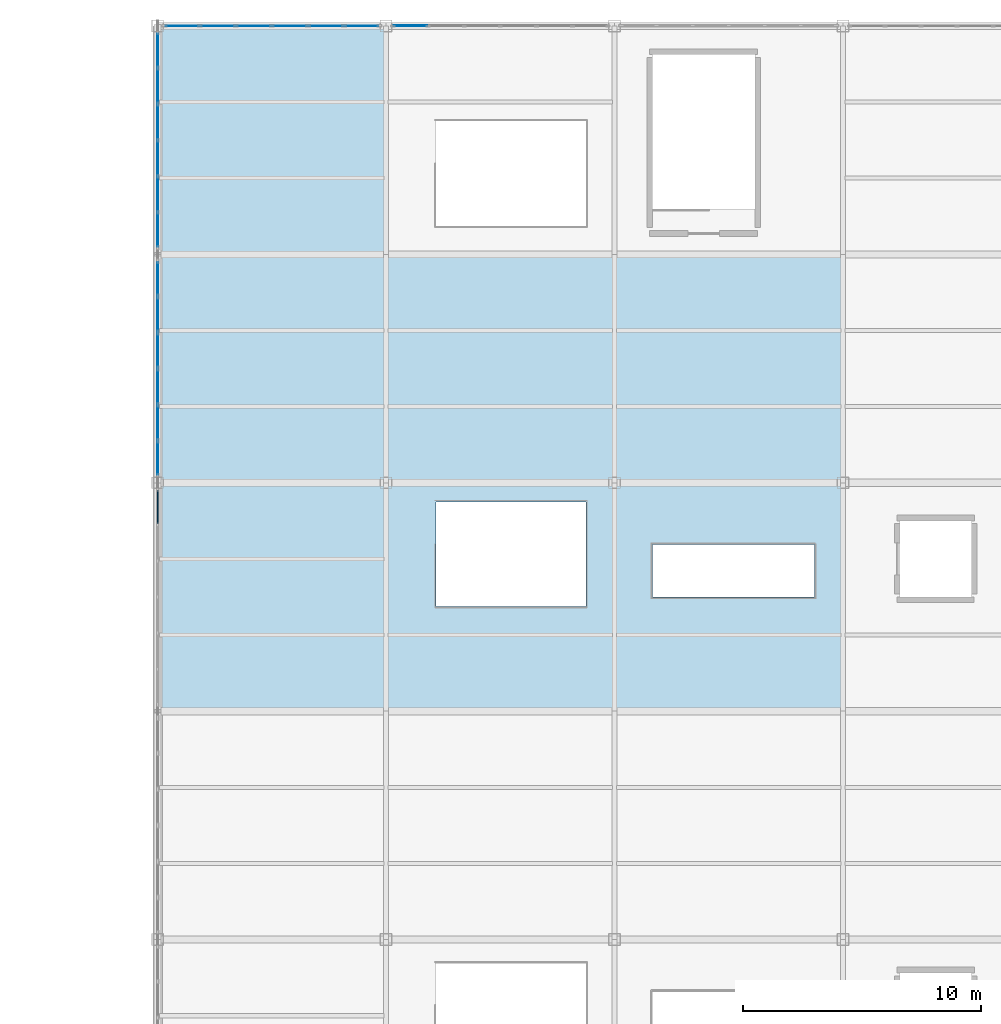
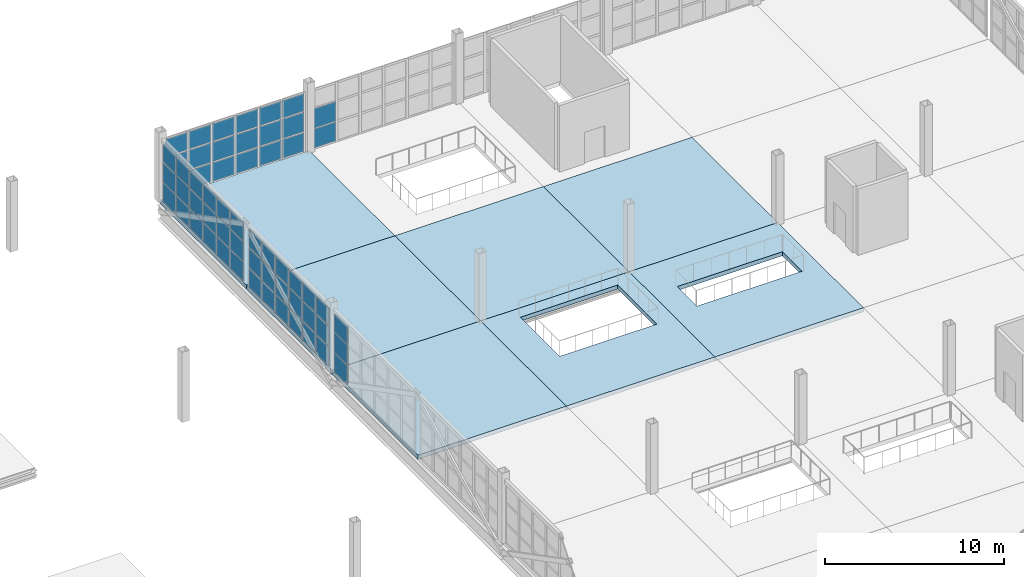
# One storey, part 86 of 120: 59 plates, 7 slabs, 5 elements without a shape of their own.
"""IFC4 building model written with IfcOpenShell, lengths in metres."""

import ifcopenshell
import ifcopenshell.guid

model = None  # the IFC model being written
_history = None  # IfcOwnerHistory: only IFC2X3 demands one
_inside = {}  # id of a spatial element -> (the spatial element, [elements in it])
_under = {}  # id of a project, library or spatial element -> (it, [spatial elements below it])
_declared = {}  # id of a project -> (the project, [libraries it declares])
_typed = {}  # id of a type object -> (the type object, [elements of that type])
_made_of = {}  # id of a material, layer set ... -> (it, [elements and type objects made of it])


def new_model(schema):
    """Start an empty IFC model of exactly this schema.

    Asked for "IFC4X3", IfcOpenShell would pick the latest addendum, in which some entities
    have other attributes; the version numbers below select the first issue.
    IFC2X3 requires an IfcOwnerHistory on every rooted entity: one is made here for all.
    """
    global model, _history
    if schema == "IFC4X3":
        model = ifcopenshell.file(schema_version=(4, 3, 0, 0))
    else:
        model = ifcopenshell.file(schema=schema)
    _inside.clear()
    _under.clear()
    _declared.clear()
    _typed.clear()
    _made_of.clear()
    _history = None
    if model.schema == "IFC2X3":
        org = make("IfcOrganization", Name="unknown")
        user = make(
            "IfcPersonAndOrganization",
            ThePerson=make("IfcPerson", FamilyName="unknown"),
            TheOrganization=org,
        )
        app = make(
            "IfcApplication",
            ApplicationDeveloper=org,
            Version="unknown",
            ApplicationFullName="unknown",
            ApplicationIdentifier="unknown",
        )
        _history = make(
            "IfcOwnerHistory",
            OwningUser=user,
            OwningApplication=app,
            ChangeAction="ADDED",
            CreationDate=0,
        )
    return model


def make(cls, **values):
    """One entity of the class cls with the attributes given. An attribute that is None is left unset."""
    return model.create_entity(
        cls, **{name: value for name, value in values.items() if value is not None}
    )


def rooted(cls, **values):
    """An entity with a GlobalId (a new one), such as an element, a storey or a relation."""
    return make(cls, GlobalId=ifcopenshell.guid.new(), OwnerHistory=_history, **values)


def si_unit(unit_type, name, prefix=None):
    """IfcSIUnit, for example si_unit("LENGTHUNIT", "METRE", prefix="MILLI")."""
    return make("IfcSIUnit", UnitType=unit_type, Prefix=prefix, Name=name)


def assignment(units):
    """IfcUnitAssignment: the units of a project."""
    return None if units is None else make("IfcUnitAssignment", Units=units)


def point(xyz):
    """IfcCartesianPoint."""
    return None if xyz is None else make("IfcCartesianPoint", Coordinates=xyz)


def direction(xyz):
    """IfcDirection."""
    return None if xyz is None else make("IfcDirection", DirectionRatios=xyz)


def frame(location, z_axis=None, x_axis=None):
    """IfcAxis2Placement3D, a coordinate frame: its origin and axes. An axis left out is left unset."""
    return make(
        "IfcAxis2Placement3D",
        Location=point(location),
        Axis=direction(z_axis),
        RefDirection=direction(x_axis),
    )


def frame_2d(location, x_axis=None):
    """IfcAxis2Placement2D, a coordinate frame in the plane: its origin and x axis."""
    return make(
        "IfcAxis2Placement2D", Location=point(location), RefDirection=direction(x_axis)
    )


def origin():
    """The frame at (0, 0, 0) with its axes left unset."""
    return frame((0.0, 0.0, 0.0))


def origin_2d():
    """The frame at (0, 0) in the plane with its x axis left unset."""
    return frame_2d((0.0, 0.0))


def place(relative_to, where):
    """IfcLocalPlacement: puts the frame where relative to a parent placement (None: the world)."""
    return make(
        "IfcLocalPlacement", PlacementRelTo=relative_to, RelativePlacement=where
    )


def context(
    kind, dimensions, precision=None, world=None, true_north=None, identifier=None
):
    """IfcGeometricRepresentationContext, for example the 3D "Model" context."""
    return make(
        "IfcGeometricRepresentationContext",
        ContextIdentifier=identifier,
        ContextType=kind,
        CoordinateSpaceDimension=dimensions,
        Precision=precision,
        WorldCoordinateSystem=world,
        TrueNorth=true_north,
    )


def subcontext(parent, identifier, kind, view, scale=None):
    """IfcGeometricRepresentationSubContext, for example "Body" below "Model"."""
    return make(
        "IfcGeometricRepresentationSubContext",
        ContextIdentifier=identifier,
        ContextType=kind,
        ParentContext=parent,
        TargetScale=scale,
        TargetView=view,
    )


def project(units=None, contexts=None):
    """IfcProject with its units and contexts."""
    return rooted(
        "IfcProject",
        Name="project",
        RepresentationContexts=contexts,
        UnitsInContext=assignment(units),
    )


def spatial(cls, under=None, at=None, **own):
    """A site, building, storey or space (cls), placed at a placement, below another one or the project."""
    s = rooted(cls, ObjectPlacement=at, **own)
    if under is not None:
        _under.setdefault(under.id(), (under, []))[1].append(s)
    return s


def polyline(points):
    """IfcPolyline through the points."""
    return make("IfcPolyline", Points=[point(p) for p in points])


def profile(cls, at=None, kind="AREA", **sizes):
    """A parametric profile (cls). Its sizes go by their IFC names, for example OverallWidth=200.0."""
    return make(cls, ProfileType=kind, Position=at, **sizes)


def rectangle(**sizes):
    """IfcRectangleProfileDef."""
    return profile("IfcRectangleProfileDef", **sizes)


def outline(outer, holes=None, kind="AREA"):
    """IfcArbitraryClosedProfileDef: a profile drawn as a closed curve; with holes, ...WithVoids."""
    if holes is None:
        return make("IfcArbitraryClosedProfileDef", ProfileType=kind, OuterCurve=outer)
    return make(
        "IfcArbitraryProfileDefWithVoids",
        ProfileType=kind,
        OuterCurve=outer,
        InnerCurves=holes,
    )


def extrude(swept, where, along, depth):
    """IfcExtrudedAreaSolid: the profile swept, set in the frame where, extruded along a direction by depth."""
    return make(
        "IfcExtrudedAreaSolid",
        SweptArea=swept,
        Position=where,
        ExtrudedDirection=direction(along),
        Depth=depth,
    )


def shape(context_of_items, identifier, shape_type, items):
    """IfcShapeRepresentation: the items that make up one representation, for example the "Body"."""
    return make(
        "IfcShapeRepresentation",
        ContextOfItems=context_of_items,
        RepresentationIdentifier=identifier,
        RepresentationType=shape_type,
        Items=items,
    )


def material(Name=None, Category=None):
    """IfcMaterial."""
    return make("IfcMaterial", Name=Name, Category=Category)


def layer(
    of_material, thickness, ventilated=None, Name=None, Category=None, Priority=None
):
    """IfcMaterialLayer: one layer of a wall or slab, of a material (None: an air gap)."""
    return make(
        "IfcMaterialLayer",
        Material=of_material,
        LayerThickness=thickness,
        IsVentilated=ventilated,
        Name=Name,
        Category=Category,
        Priority=Priority,
    )


def layer_set(layers, Name=None):
    """IfcMaterialLayerSet."""
    return make("IfcMaterialLayerSet", MaterialLayers=layers, LayerSetName=Name)


def made_of(thing, what):
    """Note that an element or type object is made of a material, layer set ...; save() writes the relation."""
    if what is not None:
        _made_of.setdefault(what.id(), (what, []))[1].append(thing)
    return thing


def type_object(cls, material=None, **own):
    """A type object (cls), such as IfcWallType, which elements share."""
    return made_of(rooted(cls, **own), material)


def element(
    cls,
    number,
    at=None,
    inside=None,
    cuts=None,
    type_object=None,
    material=None,
    context=None,
    identifier="Body",
    shape_type=None,
    held_by="IfcProductDefinitionShape",
    body=None,
    shapes=None,
    **own,
):
    """One element of the class cls, such as IfcWall. Its Tag is "e" and its number.

    at: its placement. inside: the storey or other place that contains it. cuts: it is an
    opening in that element (IfcRelVoidsElement). A single representation is given by context,
    identifier, shape_type and body (its items); several are given by shapes. held_by: the class
    of the entity that holds the representations. save() writes the other relations.
    """
    e = rooted(cls, Tag="e%d" % number, ObjectPlacement=at, **own)
    if body is not None:
        shapes = [shape(context, identifier, shape_type, body)]
    if shapes is not None:
        e.Representation = make(held_by, Representations=shapes)
    if inside is not None:
        _inside.setdefault(inside.id(), (inside, []))[1].append(e)
    if cuts is not None:
        rooted(
            "IfcRelVoidsElement", RelatingBuildingElement=cuts, RelatedOpeningElement=e
        )
    if type_object is not None:
        _typed.setdefault(type_object.id(), (type_object, []))[1].append(e)
    return made_of(e, material)


def aggregate(whole, parts):
    """IfcRelAggregates: a whole, such as a stair, and the parts it consists of."""
    return rooted("IfcRelAggregates", RelatingObject=whole, RelatedObjects=parts)


def save(model, path):
    """Write the relations noted so far, then the file.

    IfcRelAggregates (storeys below a building ...), IfcRelContainedInSpatialStructure (elements
    in a storey), IfcRelDefinesByType, IfcRelAssociatesMaterial and IfcRelDeclares: one each for
    every whole, place, type object, material and project.
    """
    for whole, parts in _under.values():
        aggregate(whole, parts)
    for where, things in _inside.values():
        rooted(
            "IfcRelContainedInSpatialStructure",
            RelatedElements=things,
            RelatingStructure=where,
        )
    for kind, things in _typed.values():
        rooted("IfcRelDefinesByType", RelatedObjects=things, RelatingType=kind)
    for what, things in _made_of.values():
        rooted("IfcRelAssociatesMaterial", RelatedObjects=things, RelatingMaterial=what)
    for by, libraries in _declared.values():
        rooted("IfcRelDeclares", RelatingContext=by, RelatedDefinitions=libraries)
    model.write(path)


model = new_model("IFC4")

# Units and contexts
model_context = context("Model", 3, precision=1e-05, world=origin(), true_north=direction((0.0, 1.0)))
body_context = subcontext(model_context, "Body", "Model", "MODEL_VIEW")
ifc_project = project(units=[si_unit("LENGTHUNIT", "METRE"), si_unit("AREAUNIT", "SQUARE_METRE"), si_unit("VOLUMEUNIT", "CUBIC_METRE"), si_unit("PLANEANGLEUNIT", "RADIAN"), si_unit("MASSUNIT", "GRAM", prefix="KILO")], contexts=[model_context])

# Site, building, storey
site_placement = place(None, origin())
site = spatial("IfcSite", under=ifc_project, at=site_placement, CompositionType="ELEMENT")
building_placement = place(site_placement, origin())
building = spatial("IfcBuilding", under=site, at=building_placement, Name="Zarnetskaya Central Station", CompositionType="ELEMENT")
storey_placement = place(building_placement, frame((0.0, 0.0, 5.39990234375)))
storey = spatial("IfcBuildingStorey", under=building, at=storey_placement, Name="L01", CompositionType="ELEMENT", Elevation=5.39990234375)

# Curtain wall, plates
ifc_material_1 = material(Name="Low-E insulated glass", Category="glass")
ifc_layer_1 = layer(ifc_material_1, 0.172119140625, Name="Low-E insulated glass", Category="glass")
ifc_layer_set_1 = layer_set([ifc_layer_1], Name="Low-E insulated glass")
curtain_wall_type = type_object("IfcCurtainWallType", Name="CW-SYS-09", PredefinedType="USERDEFINED", material=ifc_layer_set_1)
curtain_wall_1_placement = place(storey_placement, origin())
curtain_wall_1 = element("IfcCurtainWall", 1, at=curtain_wall_1_placement, inside=storey, type_object=curtain_wall_type, Name="Curtain wall CW-L01-150", ObjectType="CURTAIN WALL", PredefinedType="USERDEFINED")
ifc_layer_2 = layer(ifc_material_1, 0.028076171875, Name="Low-E insulated glass", Category="glass")
ifc_layer_set_2 = layer_set([ifc_layer_2], Name="Low-E insulated glass")
plate_type_1 = type_object("IfcPlateType", Name="CW-PAN-28", PredefinedType="CURTAIN_PANEL", material=ifc_layer_set_2)
plate_1_placement = place(storey_placement, frame((67.199951171875, 106.62841796875, 0.080078125), z_axis=(0.0, 0.0, 1.0), x_axis=(0.0, 1.0, 0.0)))
plate_1 = element("IfcPlate", 2, at=plate_1_placement, type_object=plate_type_1, Name="CW-07 panel 1.1", PredefinedType="CURTAIN_PANEL", context=body_context, shape_type="SweptSolid", body=[
    extrude(rectangle(XDim=1.396728515625, YDim=0.028076171875, at=origin_2d()), origin(), (0.0, 0.0, 1.0), 1.27392578125),
])
plate_2_placement = place(storey_placement, frame((67.199951171875, 106.62841796875, 1.43408203125), z_axis=(0.0, 0.0, 1.0), x_axis=(0.0, 1.0, 0.0)))
plate_2 = element("IfcPlate", 3, at=plate_2_placement, type_object=plate_type_1, Name="CW-07 panel 1.2", PredefinedType="CURTAIN_PANEL", context=body_context, shape_type="SweptSolid", body=[
    extrude(rectangle(XDim=1.396728515625, YDim=0.028076171875, at=origin_2d()), origin(), (0.0, 0.0, 1.0), 1.31396484375),
])
plate_3_placement = place(storey_placement, frame((67.199951171875, 106.62841796875, 2.828125), z_axis=(0.0, 0.0, 1.0), x_axis=(0.0, 1.0, 0.0)))
plate_3 = element("IfcPlate", 4, at=plate_3_placement, type_object=plate_type_1, Name="CW-07 panel 1.3", PredefinedType="CURTAIN_PANEL", context=body_context, shape_type="SweptSolid", body=[
    extrude(rectangle(XDim=1.396728515625, YDim=0.028076171875, at=origin_2d()), origin(), (0.0, 0.0, 1.0), 1.19189453125),
])
plate_4_placement = place(storey_placement, frame((67.199951171875, 108.125, 0.080078125), z_axis=(0.0, 0.0, 1.0), x_axis=(0.0, 1.0, 0.0)))
plate_4 = element("IfcPlate", 5, at=plate_4_placement, type_object=plate_type_1, Name="CW-07 panel 2.1", PredefinedType="CURTAIN_PANEL", context=body_context, shape_type="SweptSolid", body=[
    extrude(rectangle(XDim=1.436767578125, YDim=0.028076171875, at=origin_2d()), origin(), (0.0, 0.0, 1.0), 1.27392578125),
])
plate_5_placement = place(storey_placement, frame((67.199951171875, 108.125, 1.43408203125), z_axis=(0.0, 0.0, 1.0), x_axis=(0.0, 1.0, 0.0)))
plate_5 = element("IfcPlate", 6, at=plate_5_placement, type_object=plate_type_1, Name="CW-07 panel 2.2", PredefinedType="CURTAIN_PANEL", context=body_context, shape_type="SweptSolid", body=[
    extrude(rectangle(XDim=1.436767578125, YDim=0.028076171875, at=origin_2d()), origin(), (0.0, 0.0, 1.0), 1.31396484375),
])
plate_6_placement = place(storey_placement, frame((67.199951171875, 108.125, 2.828125), z_axis=(0.0, 0.0, 1.0), x_axis=(0.0, 1.0, 0.0)))
plate_6 = element("IfcPlate", 7, at=plate_6_placement, type_object=plate_type_1, Name="CW-07 panel 2.3", PredefinedType="CURTAIN_PANEL", context=body_context, shape_type="SweptSolid", body=[
    extrude(rectangle(XDim=1.436767578125, YDim=0.028076171875, at=origin_2d()), origin(), (0.0, 0.0, 1.0), 1.19189453125),
])
plate_7_placement = place(storey_placement, frame((67.199951171875, 109.6416015625, 0.080078125), z_axis=(0.0, 0.0, 1.0), x_axis=(0.0, 1.0, 0.0)))
plate_7 = element("IfcPlate", 8, at=plate_7_placement, type_object=plate_type_1, Name="CW-07 panel 3.1", PredefinedType="CURTAIN_PANEL", context=body_context, shape_type="SweptSolid", body=[
    extrude(rectangle(XDim=1.436767578125, YDim=0.028076171875, at=origin_2d()), origin(), (0.0, 0.0, 1.0), 1.27392578125),
])
plate_8_placement = place(storey_placement, frame((67.199951171875, 109.6416015625, 1.43408203125), z_axis=(0.0, 0.0, 1.0), x_axis=(0.0, 1.0, 0.0)))
plate_8 = element("IfcPlate", 9, at=plate_8_placement, type_object=plate_type_1, Name="CW-07 panel 3.2", PredefinedType="CURTAIN_PANEL", context=body_context, shape_type="SweptSolid", body=[
    extrude(rectangle(XDim=1.436767578125, YDim=0.028076171875, at=origin_2d()), origin(), (0.0, 0.0, 1.0), 1.31396484375),
])
plate_9_placement = place(storey_placement, frame((67.199951171875, 109.6416015625, 2.828125), z_axis=(0.0, 0.0, 1.0), x_axis=(0.0, 1.0, 0.0)))
plate_9 = element("IfcPlate", 10, at=plate_9_placement, type_object=plate_type_1, Name="CW-07 panel 3.3", PredefinedType="CURTAIN_PANEL", context=body_context, shape_type="SweptSolid", body=[
    extrude(rectangle(XDim=1.436767578125, YDim=0.028076171875, at=origin_2d()), origin(), (0.0, 0.0, 1.0), 1.19189453125),
])
plate_10_placement = place(storey_placement, frame((67.199951171875, 111.158447265625, 0.080078125), z_axis=(0.0, 0.0, 1.0), x_axis=(0.0, 1.0, 0.0)))
plate_10 = element("IfcPlate", 11, at=plate_10_placement, type_object=plate_type_1, Name="CW-07 panel 4.1", PredefinedType="CURTAIN_PANEL", context=body_context, shape_type="SweptSolid", body=[
    extrude(rectangle(XDim=1.436767578125, YDim=0.028076171875, at=origin_2d()), origin(), (0.0, 0.0, 1.0), 1.27392578125),
])
plate_11_placement = place(storey_placement, frame((67.199951171875, 111.158447265625, 1.43408203125), z_axis=(0.0, 0.0, 1.0), x_axis=(0.0, 1.0, 0.0)))
plate_11 = element("IfcPlate", 12, at=plate_11_placement, type_object=plate_type_1, Name="CW-07 panel 4.2", PredefinedType="CURTAIN_PANEL", context=body_context, shape_type="SweptSolid", body=[
    extrude(rectangle(XDim=1.436767578125, YDim=0.028076171875, at=origin_2d()), origin(), (0.0, 0.0, 1.0), 1.31396484375),
])
plate_12_placement = place(storey_placement, frame((67.199951171875, 111.158447265625, 2.828125), z_axis=(0.0, 0.0, 1.0), x_axis=(0.0, 1.0, 0.0)))
plate_12 = element("IfcPlate", 13, at=plate_12_placement, type_object=plate_type_1, Name="CW-07 panel 4.3", PredefinedType="CURTAIN_PANEL", context=body_context, shape_type="SweptSolid", body=[
    extrude(rectangle(XDim=1.436767578125, YDim=0.028076171875, at=origin_2d()), origin(), (0.0, 0.0, 1.0), 1.19189453125),
])
plate_13_placement = place(storey_placement, frame((67.199951171875, 112.675048828125, 0.080078125), z_axis=(0.0, 0.0, 1.0), x_axis=(0.0, 1.0, 0.0)))
plate_13 = element("IfcPlate", 14, at=plate_13_placement, type_object=plate_type_1, Name="CW-07 panel 5.1", PredefinedType="CURTAIN_PANEL", context=body_context, shape_type="SweptSolid", body=[
    extrude(rectangle(XDim=1.436767578125, YDim=0.028076171875, at=origin_2d()), origin(), (0.0, 0.0, 1.0), 1.27392578125),
])
plate_14_placement = place(storey_placement, frame((67.199951171875, 112.675048828125, 1.43408203125), z_axis=(0.0, 0.0, 1.0), x_axis=(0.0, 1.0, 0.0)))
plate_14 = element("IfcPlate", 15, at=plate_14_placement, type_object=plate_type_1, Name="CW-07 panel 5.2", PredefinedType="CURTAIN_PANEL", context=body_context, shape_type="SweptSolid", body=[
    extrude(rectangle(XDim=1.436767578125, YDim=0.028076171875, at=origin_2d()), origin(), (0.0, 0.0, 1.0), 1.31396484375),
])
plate_15_placement = place(storey_placement, frame((67.199951171875, 112.675048828125, 2.828125), z_axis=(0.0, 0.0, 1.0), x_axis=(0.0, 1.0, 0.0)))
plate_15 = element("IfcPlate", 16, at=plate_15_placement, type_object=plate_type_1, Name="CW-07 panel 5.3", PredefinedType="CURTAIN_PANEL", context=body_context, shape_type="SweptSolid", body=[
    extrude(rectangle(XDim=1.436767578125, YDim=0.028076171875, at=origin_2d()), origin(), (0.0, 0.0, 1.0), 1.19189453125),
])
plate_16_placement = place(storey_placement, frame((67.199951171875, 114.171630859375, 0.080078125), z_axis=(0.0, 0.0, 1.0), x_axis=(0.0, 1.0, 0.0)))
plate_16 = element("IfcPlate", 17, at=plate_16_placement, type_object=plate_type_1, Name="CW-07 panel 6.1", PredefinedType="CURTAIN_PANEL", context=body_context, shape_type="SweptSolid", body=[
    extrude(rectangle(XDim=1.396728515625, YDim=0.028076171875, at=origin_2d()), origin(), (0.0, 0.0, 1.0), 1.27392578125),
])
plate_17_placement = place(storey_placement, frame((67.199951171875, 114.171630859375, 1.43408203125), z_axis=(0.0, 0.0, 1.0), x_axis=(0.0, 1.0, 0.0)))
plate_17 = element("IfcPlate", 18, at=plate_17_placement, type_object=plate_type_1, Name="CW-07 panel 6.2", PredefinedType="CURTAIN_PANEL", context=body_context, shape_type="SweptSolid", body=[
    extrude(rectangle(XDim=1.396728515625, YDim=0.028076171875, at=origin_2d()), origin(), (0.0, 0.0, 1.0), 1.31396484375),
])
plate_18_placement = place(storey_placement, frame((67.199951171875, 114.171630859375, 2.828125), z_axis=(0.0, 0.0, 1.0), x_axis=(0.0, 1.0, 0.0)))
plate_18 = element("IfcPlate", 19, at=plate_18_placement, type_object=plate_type_1, Name="CW-07 panel 6.3", PredefinedType="CURTAIN_PANEL", context=body_context, shape_type="SweptSolid", body=[
    extrude(rectangle(XDim=1.396728515625, YDim=0.028076171875, at=origin_2d()), origin(), (0.0, 0.0, 1.0), 1.19189453125),
])
aggregate(curtain_wall_1, [plate_1, plate_2, plate_3, plate_4, plate_5, plate_6, plate_7, plate_8, plate_9, plate_10, plate_11, plate_12, plate_13, plate_14, plate_15, plate_16, plate_17, plate_18])

curtain_wall_2_placement = place(storey_placement, origin())
curtain_wall_2 = element("IfcCurtainWall", 20, at=curtain_wall_2_placement, inside=storey, type_object=curtain_wall_type, Name="Curtain wall CW-L01-151", ObjectType="CURTAIN WALL", PredefinedType="USERDEFINED")
ifc_layer_3 = layer(ifc_material_1, 0.031982421875, Name="Low-E insulated glass", Category="glass")
ifc_layer_set_3 = layer_set([ifc_layer_3], Name="Low-E insulated glass")
plate_type_2 = type_object("IfcPlateType", Name="CW-PAN-32", PredefinedType="CURTAIN_PANEL", material=ifc_layer_set_3)
plate_19_placement = place(storey_placement, frame((67.199951171875, 116.225830078125, 0.070068359375), z_axis=(0.0, 0.0, 1.0), x_axis=(0.0, 1.0, 0.0)))
plate_19 = element("IfcPlate", 21, at=plate_19_placement, type_object=plate_type_2, Name="CW-07 panel 1.1", PredefinedType="CURTAIN_PANEL", context=body_context, shape_type="SweptSolid", body=[
    extrude(rectangle(XDim=1.41162109375, YDim=0.031982421875, at=origin_2d()), origin(), (0.0, 0.0, 1.0), 1.2890625),
])
plate_20_placement = place(storey_placement, frame((67.199951171875, 116.225830078125, 1.42919921875), z_axis=(0.0, 0.0, 1.0), x_axis=(0.0, 1.0, 0.0)))
plate_20 = element("IfcPlate", 22, at=plate_20_placement, type_object=plate_type_2, Name="CW-07 panel 1.2", PredefinedType="CURTAIN_PANEL", context=body_context, shape_type="SweptSolid", body=[
    extrude(rectangle(XDim=1.41162109375, YDim=0.031982421875, at=origin_2d()), origin(), (0.0, 0.0, 1.0), 1.323974609375),
])
plate_21_placement = place(storey_placement, frame((67.199951171875, 116.225830078125, 2.822998046875), z_axis=(0.0, 0.0, 1.0), x_axis=(0.0, 1.0, 0.0)))
plate_21 = element("IfcPlate", 23, at=plate_21_placement, type_object=plate_type_2, Name="CW-07 panel 1.3", PredefinedType="CURTAIN_PANEL", context=body_context, shape_type="SweptSolid", body=[
    extrude(rectangle(XDim=1.41162109375, YDim=0.031982421875, at=origin_2d()), origin(), (0.0, 0.0, 1.0), 1.20703125),
])
plate_22_placement = place(storey_placement, frame((67.199951171875, 117.72509765625, 0.070068359375), z_axis=(0.0, 0.0, 1.0), x_axis=(0.0, 1.0, 0.0)))
plate_22 = element("IfcPlate", 24, at=plate_22_placement, type_object=plate_type_2, Name="CW-07 panel 2.1", PredefinedType="CURTAIN_PANEL", context=body_context, shape_type="SweptSolid", body=[
    extrude(rectangle(XDim=1.44677734375, YDim=0.031982421875, at=origin_2d()), origin(), (0.0, 0.0, 1.0), 1.2890625),
])
plate_23_placement = place(storey_placement, frame((67.199951171875, 117.72509765625, 1.42919921875), z_axis=(0.0, 0.0, 1.0), x_axis=(0.0, 1.0, 0.0)))
plate_23 = element("IfcPlate", 25, at=plate_23_placement, type_object=plate_type_2, Name="CW-07 panel 2.2", PredefinedType="CURTAIN_PANEL", context=body_context, shape_type="SweptSolid", body=[
    extrude(rectangle(XDim=1.44677734375, YDim=0.031982421875, at=origin_2d()), origin(), (0.0, 0.0, 1.0), 1.323974609375),
])
plate_24_placement = place(storey_placement, frame((67.199951171875, 117.72509765625, 2.822998046875), z_axis=(0.0, 0.0, 1.0), x_axis=(0.0, 1.0, 0.0)))
plate_24 = element("IfcPlate", 26, at=plate_24_placement, type_object=plate_type_2, Name="CW-07 panel 2.3", PredefinedType="CURTAIN_PANEL", context=body_context, shape_type="SweptSolid", body=[
    extrude(rectangle(XDim=1.44677734375, YDim=0.031982421875, at=origin_2d()), origin(), (0.0, 0.0, 1.0), 1.20703125),
])
plate_25_placement = place(storey_placement, frame((67.199951171875, 119.24169921875, 0.070068359375), z_axis=(0.0, 0.0, 1.0), x_axis=(0.0, 1.0, 0.0)))
plate_25 = element("IfcPlate", 27, at=plate_25_placement, type_object=plate_type_2, Name="CW-07 panel 3.1", PredefinedType="CURTAIN_PANEL", context=body_context, shape_type="SweptSolid", body=[
    extrude(rectangle(XDim=1.44677734375, YDim=0.031982421875, at=origin_2d()), origin(), (0.0, 0.0, 1.0), 1.2890625),
])
plate_26_placement = place(storey_placement, frame((67.199951171875, 119.24169921875, 1.42919921875), z_axis=(0.0, 0.0, 1.0), x_axis=(0.0, 1.0, 0.0)))
plate_26 = element("IfcPlate", 28, at=plate_26_placement, type_object=plate_type_2, Name="CW-07 panel 3.2", PredefinedType="CURTAIN_PANEL", context=body_context, shape_type="SweptSolid", body=[
    extrude(rectangle(XDim=1.44677734375, YDim=0.031982421875, at=origin_2d()), origin(), (0.0, 0.0, 1.0), 1.323974609375),
])
plate_27_placement = place(storey_placement, frame((67.199951171875, 119.24169921875, 2.822998046875), z_axis=(0.0, 0.0, 1.0), x_axis=(0.0, 1.0, 0.0)))
plate_27 = element("IfcPlate", 29, at=plate_27_placement, type_object=plate_type_2, Name="CW-07 panel 3.3", PredefinedType="CURTAIN_PANEL", context=body_context, shape_type="SweptSolid", body=[
    extrude(rectangle(XDim=1.44677734375, YDim=0.031982421875, at=origin_2d()), origin(), (0.0, 0.0, 1.0), 1.20703125),
])
plate_28_placement = place(storey_placement, frame((67.199951171875, 120.75830078125, 0.070068359375), z_axis=(0.0, 0.0, 1.0), x_axis=(0.0, 1.0, 0.0)))
plate_28 = element("IfcPlate", 30, at=plate_28_placement, type_object=plate_type_2, Name="CW-07 panel 4.1", PredefinedType="CURTAIN_PANEL", context=body_context, shape_type="SweptSolid", body=[
    extrude(rectangle(XDim=1.44677734375, YDim=0.031982421875, at=origin_2d()), origin(), (0.0, 0.0, 1.0), 1.2890625),
])
plate_29_placement = place(storey_placement, frame((67.199951171875, 120.75830078125, 1.42919921875), z_axis=(0.0, 0.0, 1.0), x_axis=(0.0, 1.0, 0.0)))
plate_29 = element("IfcPlate", 31, at=plate_29_placement, type_object=plate_type_2, Name="CW-07 panel 4.2", PredefinedType="CURTAIN_PANEL", context=body_context, shape_type="SweptSolid", body=[
    extrude(rectangle(XDim=1.44677734375, YDim=0.031982421875, at=origin_2d()), origin(), (0.0, 0.0, 1.0), 1.323974609375),
])
plate_30_placement = place(storey_placement, frame((67.199951171875, 120.75830078125, 2.822998046875), z_axis=(0.0, 0.0, 1.0), x_axis=(0.0, 1.0, 0.0)))
plate_30 = element("IfcPlate", 32, at=plate_30_placement, type_object=plate_type_2, Name="CW-07 panel 4.3", PredefinedType="CURTAIN_PANEL", context=body_context, shape_type="SweptSolid", body=[
    extrude(rectangle(XDim=1.44677734375, YDim=0.031982421875, at=origin_2d()), origin(), (0.0, 0.0, 1.0), 1.20703125),
])
plate_31_placement = place(storey_placement, frame((67.199951171875, 122.27490234375, 0.070068359375), z_axis=(0.0, 0.0, 1.0), x_axis=(0.0, 1.0, 0.0)))
plate_31 = element("IfcPlate", 33, at=plate_31_placement, type_object=plate_type_2, Name="CW-07 panel 5.1", PredefinedType="CURTAIN_PANEL", context=body_context, shape_type="SweptSolid", body=[
    extrude(rectangle(XDim=1.44677734375, YDim=0.031982421875, at=origin_2d()), origin(), (0.0, 0.0, 1.0), 1.2890625),
])
plate_32_placement = place(storey_placement, frame((67.199951171875, 122.27490234375, 1.42919921875), z_axis=(0.0, 0.0, 1.0), x_axis=(0.0, 1.0, 0.0)))
plate_32 = element("IfcPlate", 34, at=plate_32_placement, type_object=plate_type_2, Name="CW-07 panel 5.2", PredefinedType="CURTAIN_PANEL", context=body_context, shape_type="SweptSolid", body=[
    extrude(rectangle(XDim=1.44677734375, YDim=0.031982421875, at=origin_2d()), origin(), (0.0, 0.0, 1.0), 1.323974609375),
])
plate_33_placement = place(storey_placement, frame((67.199951171875, 122.27490234375, 2.822998046875), z_axis=(0.0, 0.0, 1.0), x_axis=(0.0, 1.0, 0.0)))
plate_33 = element("IfcPlate", 35, at=plate_33_placement, type_object=plate_type_2, Name="CW-07 panel 5.3", PredefinedType="CURTAIN_PANEL", context=body_context, shape_type="SweptSolid", body=[
    extrude(rectangle(XDim=1.44677734375, YDim=0.031982421875, at=origin_2d()), origin(), (0.0, 0.0, 1.0), 1.20703125),
])
plate_34_placement = place(storey_placement, frame((67.199951171875, 123.774169921875, 0.070068359375), z_axis=(0.0, 0.0, 1.0), x_axis=(0.0, 1.0, 0.0)))
plate_34 = element("IfcPlate", 36, at=plate_34_placement, type_object=plate_type_2, Name="CW-07 panel 6.1", PredefinedType="CURTAIN_PANEL", context=body_context, shape_type="SweptSolid", body=[
    extrude(rectangle(XDim=1.41162109375, YDim=0.031982421875, at=origin_2d()), origin(), (0.0, 0.0, 1.0), 1.2890625),
])
plate_35_placement = place(storey_placement, frame((67.199951171875, 123.774169921875, 1.42919921875), z_axis=(0.0, 0.0, 1.0), x_axis=(0.0, 1.0, 0.0)))
plate_35 = element("IfcPlate", 37, at=plate_35_placement, type_object=plate_type_2, Name="CW-07 panel 6.2", PredefinedType="CURTAIN_PANEL", context=body_context, shape_type="SweptSolid", body=[
    extrude(rectangle(XDim=1.41162109375, YDim=0.031982421875, at=origin_2d()), origin(), (0.0, 0.0, 1.0), 1.323974609375),
])
plate_36_placement = place(storey_placement, frame((67.199951171875, 123.774169921875, 2.822998046875), z_axis=(0.0, 0.0, 1.0), x_axis=(0.0, 1.0, 0.0)))
plate_36 = element("IfcPlate", 38, at=plate_36_placement, type_object=plate_type_2, Name="CW-07 panel 6.3", PredefinedType="CURTAIN_PANEL", context=body_context, shape_type="SweptSolid", body=[
    extrude(rectangle(XDim=1.41162109375, YDim=0.031982421875, at=origin_2d()), origin(), (0.0, 0.0, 1.0), 1.20703125),
])
aggregate(curtain_wall_2, [plate_19, plate_20, plate_21, plate_22, plate_23, plate_24, plate_25, plate_26, plate_27, plate_28, plate_29, plate_30, plate_31, plate_32, plate_33, plate_34, plate_35, plate_36])

curtain_wall_3_placement = place(storey_placement, origin())
curtain_wall_3 = element("IfcCurtainWall", 39, at=curtain_wall_3_placement, inside=storey, type_object=curtain_wall_type, Name="Curtain wall CW-L01-152", ObjectType="CURTAIN WALL", PredefinedType="USERDEFINED")
ifc_layer_4 = layer(ifc_material_1, 0.035888671875, Name="Low-E insulated glass", Category="glass")
ifc_layer_set_4 = layer_set([ifc_layer_4], Name="Low-E insulated glass")
plate_type_3 = type_object("IfcPlateType", Name="CW-PAN-36", PredefinedType="CURTAIN_PANEL", material=ifc_layer_set_4)
plate_37_placement = place(storey_placement, frame((68.228271484375, 124.800048828125, 0.080078125), z_axis=(0.0, 0.0, 1.0), x_axis=(1.0, 0.0, 0.0)))
plate_37 = element("IfcPlate", 40, at=plate_37_placement, type_object=plate_type_3, Name="CW-07 panel 1.1", PredefinedType="CURTAIN_PANEL", context=body_context, shape_type="SweptSolid", body=[
    extrude(rectangle(XDim=1.396728515625, YDim=0.035888671875, at=origin_2d()), origin(), (0.0, 0.0, 1.0), 1.27392578125),
])
plate_38_placement = place(storey_placement, frame((68.228271484375, 124.800048828125, 1.43408203125), z_axis=(0.0, 0.0, 1.0), x_axis=(1.0, 0.0, 0.0)))
plate_38 = element("IfcPlate", 41, at=plate_38_placement, type_object=plate_type_3, Name="CW-07 panel 1.2", PredefinedType="CURTAIN_PANEL", context=body_context, shape_type="SweptSolid", body=[
    extrude(rectangle(XDim=1.396728515625, YDim=0.035888671875, at=origin_2d()), origin(), (0.0, 0.0, 1.0), 1.31396484375),
])
plate_39_placement = place(storey_placement, frame((68.228271484375, 124.800048828125, 2.828125), z_axis=(0.0, 0.0, 1.0), x_axis=(1.0, 0.0, 0.0)))
plate_39 = element("IfcPlate", 42, at=plate_39_placement, type_object=plate_type_3, Name="CW-07 panel 1.3", PredefinedType="CURTAIN_PANEL", context=body_context, shape_type="SweptSolid", body=[
    extrude(rectangle(XDim=1.396728515625, YDim=0.035888671875, at=origin_2d()), origin(), (0.0, 0.0, 1.0), 1.19189453125),
])
plate_40_placement = place(storey_placement, frame((69.72509765625, 124.800048828125, 0.080078125), z_axis=(0.0, 0.0, 1.0), x_axis=(1.0, 0.0, 0.0)))
plate_40 = element("IfcPlate", 43, at=plate_40_placement, type_object=plate_type_3, Name="CW-07 panel 2.1", PredefinedType="CURTAIN_PANEL", context=body_context, shape_type="SweptSolid", body=[
    extrude(rectangle(XDim=1.436767578125, YDim=0.035888671875, at=origin_2d()), origin(), (0.0, 0.0, 1.0), 1.27392578125),
])
plate_41_placement = place(storey_placement, frame((69.72509765625, 124.800048828125, 1.43408203125), z_axis=(0.0, 0.0, 1.0), x_axis=(1.0, 0.0, 0.0)))
plate_41 = element("IfcPlate", 44, at=plate_41_placement, type_object=plate_type_3, Name="CW-07 panel 2.2", PredefinedType="CURTAIN_PANEL", context=body_context, shape_type="SweptSolid", body=[
    extrude(rectangle(XDim=1.436767578125, YDim=0.035888671875, at=origin_2d()), origin(), (0.0, 0.0, 1.0), 1.31396484375),
])
plate_42_placement = place(storey_placement, frame((69.72509765625, 124.800048828125, 2.828125), z_axis=(0.0, 0.0, 1.0), x_axis=(1.0, 0.0, 0.0)))
plate_42 = element("IfcPlate", 45, at=plate_42_placement, type_object=plate_type_3, Name="CW-07 panel 2.3", PredefinedType="CURTAIN_PANEL", context=body_context, shape_type="SweptSolid", body=[
    extrude(rectangle(XDim=1.436767578125, YDim=0.035888671875, at=origin_2d()), origin(), (0.0, 0.0, 1.0), 1.19189453125),
])
plate_43_placement = place(storey_placement, frame((71.24169921875, 124.800048828125, 0.080078125), z_axis=(0.0, 0.0, 1.0), x_axis=(1.0, 0.0, 0.0)))
plate_43 = element("IfcPlate", 46, at=plate_43_placement, type_object=plate_type_3, Name="CW-07 panel 3.1", PredefinedType="CURTAIN_PANEL", context=body_context, shape_type="SweptSolid", body=[
    extrude(rectangle(XDim=1.436767578125, YDim=0.035888671875, at=origin_2d()), origin(), (0.0, 0.0, 1.0), 1.27392578125),
])
plate_44_placement = place(storey_placement, frame((71.24169921875, 124.800048828125, 1.43408203125), z_axis=(0.0, 0.0, 1.0), x_axis=(1.0, 0.0, 0.0)))
plate_44 = element("IfcPlate", 47, at=plate_44_placement, type_object=plate_type_3, Name="CW-07 panel 3.2", PredefinedType="CURTAIN_PANEL", context=body_context, shape_type="SweptSolid", body=[
    extrude(rectangle(XDim=1.436767578125, YDim=0.035888671875, at=origin_2d()), origin(), (0.0, 0.0, 1.0), 1.31396484375),
])
plate_45_placement = place(storey_placement, frame((71.24169921875, 124.800048828125, 2.828125), z_axis=(0.0, 0.0, 1.0), x_axis=(1.0, 0.0, 0.0)))
plate_45 = element("IfcPlate", 48, at=plate_45_placement, type_object=plate_type_3, Name="CW-07 panel 3.3", PredefinedType="CURTAIN_PANEL", context=body_context, shape_type="SweptSolid", body=[
    extrude(rectangle(XDim=1.436767578125, YDim=0.035888671875, at=origin_2d()), origin(), (0.0, 0.0, 1.0), 1.19189453125),
])
plate_46_placement = place(storey_placement, frame((72.75830078125, 124.800048828125, 0.080078125), z_axis=(0.0, 0.0, 1.0), x_axis=(1.0, 0.0, 0.0)))
plate_46 = element("IfcPlate", 49, at=plate_46_placement, type_object=plate_type_3, Name="CW-07 panel 4.1", PredefinedType="CURTAIN_PANEL", context=body_context, shape_type="SweptSolid", body=[
    extrude(rectangle(XDim=1.436767578125, YDim=0.035888671875, at=origin_2d()), origin(), (0.0, 0.0, 1.0), 1.27392578125),
])
plate_47_placement = place(storey_placement, frame((72.75830078125, 124.800048828125, 1.43408203125), z_axis=(0.0, 0.0, 1.0), x_axis=(1.0, 0.0, 0.0)))
plate_47 = element("IfcPlate", 50, at=plate_47_placement, type_object=plate_type_3, Name="CW-07 panel 4.2", PredefinedType="CURTAIN_PANEL", context=body_context, shape_type="SweptSolid", body=[
    extrude(rectangle(XDim=1.436767578125, YDim=0.035888671875, at=origin_2d()), origin(), (0.0, 0.0, 1.0), 1.31396484375),
])
plate_48_placement = place(storey_placement, frame((72.75830078125, 124.800048828125, 2.828125), z_axis=(0.0, 0.0, 1.0), x_axis=(1.0, 0.0, 0.0)))
plate_48 = element("IfcPlate", 51, at=plate_48_placement, type_object=plate_type_3, Name="CW-07 panel 4.3", PredefinedType="CURTAIN_PANEL", context=body_context, shape_type="SweptSolid", body=[
    extrude(rectangle(XDim=1.436767578125, YDim=0.035888671875, at=origin_2d()), origin(), (0.0, 0.0, 1.0), 1.19189453125),
])
plate_49_placement = place(storey_placement, frame((74.27490234375, 124.800048828125, 0.080078125), z_axis=(0.0, 0.0, 1.0), x_axis=(1.0, 0.0, 0.0)))
plate_49 = element("IfcPlate", 52, at=plate_49_placement, type_object=plate_type_3, Name="CW-07 panel 5.1", PredefinedType="CURTAIN_PANEL", context=body_context, shape_type="SweptSolid", body=[
    extrude(rectangle(XDim=1.436767578125, YDim=0.035888671875, at=origin_2d()), origin(), (0.0, 0.0, 1.0), 1.27392578125),
])
plate_50_placement = place(storey_placement, frame((74.27490234375, 124.800048828125, 1.43408203125), z_axis=(0.0, 0.0, 1.0), x_axis=(1.0, 0.0, 0.0)))
plate_50 = element("IfcPlate", 53, at=plate_50_placement, type_object=plate_type_3, Name="CW-07 panel 5.2", PredefinedType="CURTAIN_PANEL", context=body_context, shape_type="SweptSolid", body=[
    extrude(rectangle(XDim=1.436767578125, YDim=0.035888671875, at=origin_2d()), origin(), (0.0, 0.0, 1.0), 1.31396484375),
])
plate_51_placement = place(storey_placement, frame((74.27490234375, 124.800048828125, 2.828125), z_axis=(0.0, 0.0, 1.0), x_axis=(1.0, 0.0, 0.0)))
plate_51 = element("IfcPlate", 54, at=plate_51_placement, type_object=plate_type_3, Name="CW-07 panel 5.3", PredefinedType="CURTAIN_PANEL", context=body_context, shape_type="SweptSolid", body=[
    extrude(rectangle(XDim=1.436767578125, YDim=0.035888671875, at=origin_2d()), origin(), (0.0, 0.0, 1.0), 1.19189453125),
])
plate_52_placement = place(storey_placement, frame((75.771728515625, 124.800048828125, 0.080078125), z_axis=(0.0, 0.0, 1.0), x_axis=(1.0, 0.0, 0.0)))
plate_52 = element("IfcPlate", 55, at=plate_52_placement, type_object=plate_type_3, Name="CW-07 panel 6.1", PredefinedType="CURTAIN_PANEL", context=body_context, shape_type="SweptSolid", body=[
    extrude(rectangle(XDim=1.396728515625, YDim=0.035888671875, at=origin_2d()), origin(), (0.0, 0.0, 1.0), 1.27392578125),
])
plate_53_placement = place(storey_placement, frame((75.771728515625, 124.800048828125, 1.43408203125), z_axis=(0.0, 0.0, 1.0), x_axis=(1.0, 0.0, 0.0)))
plate_53 = element("IfcPlate", 56, at=plate_53_placement, type_object=plate_type_3, Name="CW-07 panel 6.2", PredefinedType="CURTAIN_PANEL", context=body_context, shape_type="SweptSolid", body=[
    extrude(rectangle(XDim=1.396728515625, YDim=0.035888671875, at=origin_2d()), origin(), (0.0, 0.0, 1.0), 1.31396484375),
])
plate_54_placement = place(storey_placement, frame((75.771728515625, 124.800048828125, 2.828125), z_axis=(0.0, 0.0, 1.0), x_axis=(1.0, 0.0, 0.0)))
plate_54 = element("IfcPlate", 57, at=plate_54_placement, type_object=plate_type_3, Name="CW-07 panel 6.3", PredefinedType="CURTAIN_PANEL", context=body_context, shape_type="SweptSolid", body=[
    extrude(rectangle(XDim=1.396728515625, YDim=0.035888671875, at=origin_2d()), origin(), (0.0, 0.0, 1.0), 1.19189453125),
])
aggregate(curtain_wall_3, [plate_37, plate_38, plate_39, plate_40, plate_41, plate_42, plate_43, plate_44, plate_45, plate_46, plate_47, plate_48, plate_49, plate_50, plate_51, plate_52, plate_53, plate_54])

curtain_wall_4_placement = place(storey_placement, origin())
curtain_wall_4 = element("IfcCurtainWall", 58, at=curtain_wall_4_placement, inside=storey, type_object=curtain_wall_type, Name="Curtain wall CW-L01-153", ObjectType="CURTAIN WALL", PredefinedType="USERDEFINED")
ifc_layer_5 = layer(ifc_material_1, 0.0400390625, Name="Low-E insulated glass", Category="glass")
ifc_layer_set_5 = layer_set([ifc_layer_5], Name="Low-E insulated glass")
plate_type_4 = type_object("IfcPlateType", Name="CW-PAN-40", PredefinedType="CURTAIN_PANEL", material=ifc_layer_set_5)
plate_55_placement = place(storey_placement, frame((77.825927734375, 124.800048828125, 0.070068359375), z_axis=(0.0, 0.0, 1.0), x_axis=(1.0, 0.0, 0.0)))
plate_55 = element("IfcPlate", 59, at=plate_55_placement, type_object=plate_type_4, Name="CW-07 panel 1.1", PredefinedType="CURTAIN_PANEL", context=body_context, shape_type="SweptSolid", body=[
    extrude(rectangle(XDim=1.41162109375, YDim=0.0400390625, at=origin_2d()), origin(), (0.0, 0.0, 1.0), 1.2890625),
])
plate_56_placement = place(storey_placement, frame((77.825927734375, 124.800048828125, 1.42919921875), z_axis=(0.0, 0.0, 1.0), x_axis=(1.0, 0.0, 0.0)))
plate_56 = element("IfcPlate", 60, at=plate_56_placement, type_object=plate_type_4, Name="CW-07 panel 1.2", PredefinedType="CURTAIN_PANEL", context=body_context, shape_type="SweptSolid", body=[
    extrude(rectangle(XDim=1.41162109375, YDim=0.0400390625, at=origin_2d()), origin(), (0.0, 0.0, 1.0), 1.323974609375),
])
aggregate(curtain_wall_4, [plate_55, plate_56])

curtain_wall_5_placement = place(storey_placement, origin())
curtain_wall_5 = element("IfcCurtainWall", 61, at=curtain_wall_5_placement, inside=storey, type_object=curtain_wall_type, Name="Curtain wall CW-L01-149", ObjectType="CURTAIN WALL", PredefinedType="USERDEFINED")
ifc_layer_6 = layer(ifc_material_1, 0.0439453125, Name="Low-E insulated glass", Category="glass")
ifc_layer_set_6 = layer_set([ifc_layer_6], Name="Low-E insulated glass")
plate_type_5 = type_object("IfcPlateType", Name="CW-PAN-44", PredefinedType="CURTAIN_PANEL", material=ifc_layer_set_6)
plate_57_placement = place(storey_placement, frame((67.199951171875, 104.57421875, 0.070068359375), z_axis=(0.0, 0.0, 1.0), x_axis=(0.0, 1.0, 0.0)))
plate_57 = element("IfcPlate", 62, at=plate_57_placement, type_object=plate_type_5, Name="CW-07 panel 6.1", PredefinedType="CURTAIN_PANEL", context=body_context, shape_type="SweptSolid", body=[
    extrude(rectangle(XDim=1.41162109375, YDim=0.0439453125, at=origin_2d()), origin(), (0.0, 0.0, 1.0), 1.2890625),
])
plate_58_placement = place(storey_placement, frame((67.199951171875, 104.57421875, 1.42919921875), z_axis=(0.0, 0.0, 1.0), x_axis=(0.0, 1.0, 0.0)))
plate_58 = element("IfcPlate", 63, at=plate_58_placement, type_object=plate_type_5, Name="CW-07 panel 6.2", PredefinedType="CURTAIN_PANEL", context=body_context, shape_type="SweptSolid", body=[
    extrude(rectangle(XDim=1.41162109375, YDim=0.0439453125, at=origin_2d()), origin(), (0.0, 0.0, 1.0), 1.323974609375),
])
plate_59_placement = place(storey_placement, frame((67.199951171875, 104.57421875, 2.822998046875), z_axis=(0.0, 0.0, 1.0), x_axis=(0.0, 1.0, 0.0)))
plate_59 = element("IfcPlate", 64, at=plate_59_placement, type_object=plate_type_5, Name="CW-07 panel 6.3", PredefinedType="CURTAIN_PANEL", context=body_context, shape_type="SweptSolid", body=[
    extrude(rectangle(XDim=1.41162109375, YDim=0.0439453125, at=origin_2d()), origin(), (0.0, 0.0, 1.0), 1.20703125),
])
aggregate(curtain_wall_5, [plate_57, plate_58, plate_59])

# Slabs
ifc_material_2 = material(Name="Concrete C30/37", Category="concrete")
ifc_layer_7 = layer(ifc_material_2, 0.280029296875, Name="Concrete C30/37", Category="concrete")
ifc_layer_set_7 = layer_set([ifc_layer_7], Name="Concrete C30/37")
slab_type = type_object("IfcSlabType", Name="SLAB-BRG-280", PredefinedType="FLOOR", material=ifc_layer_set_7)
slab_1_placement = place(storey_placement, frame((0.0, 0.0, -0.27978515625)))
element("IfcSlab", 65, at=slab_1_placement, inside=storey, type_object=slab_type, Name="L01 slab H-J/12-13", PredefinedType="FLOOR", context=body_context, shape_type="SweptSolid", body=[
    extrude(outline(polyline([(67.199951171875, 96.0), (76.800048828125, 96.0), (76.800048828125, 105.60009765625), (67.199951171875, 105.60009765625), (67.199951171875, 96.0)])), origin(), (0.0, 0.0, 1.0), 0.27978515625),
])
slab_2_placement = place(storey_placement, frame((0.0, 0.0, -0.27978515625)))
element("IfcSlab", 66, at=slab_2_placement, inside=storey, type_object=slab_type, Name="L01 slab H-J/13-14", PredefinedType="FLOOR", context=body_context, shape_type="SweptSolid", body=[
    extrude(outline(polyline([(67.199951171875, 105.60009765625), (76.800048828125, 105.60009765625), (76.800048828125, 115.199951171875), (67.199951171875, 115.199951171875), (67.199951171875, 105.60009765625)])), origin(), (0.0, 0.0, 1.0), 0.27978515625),
])
slab_3_placement = place(storey_placement, frame((0.0, 0.0, -0.27978515625)))
element("IfcSlab", 67, at=slab_3_placement, inside=storey, type_object=slab_type, Name="L01 slab H-J/14-15", PredefinedType="FLOOR", context=body_context, shape_type="SweptSolid", body=[
    extrude(outline(polyline([(67.199951171875, 115.199951171875), (76.800048828125, 115.199951171875), (76.800048828125, 124.800048828125), (67.199951171875, 124.800048828125), (67.199951171875, 115.199951171875)])), origin(), (0.0, 0.0, 1.0), 0.27978515625),
])
slab_4_placement = place(storey_placement, frame((0.0, 0.0, -0.27978515625)))
element("IfcSlab", 68, at=slab_4_placement, inside=storey, type_object=slab_type, Name="L01 slab J-K/12-13", PredefinedType="FLOOR", context=body_context, shape_type="SweptSolid", body=[
    extrude(outline(polyline([(76.800048828125, 96.0), (86.39990234375, 96.0), (86.39990234375, 105.60009765625), (76.800048828125, 105.60009765625), (76.800048828125, 96.0)]), holes=[polyline([(78.905029296875, 100.39990234375), (85.199951171875, 100.39990234375), (85.199951171875, 104.800048828125), (78.905029296875, 104.800048828125), (78.905029296875, 100.39990234375)])]), origin(), (0.0, 0.0, 1.0), 0.27978515625),
])
slab_5_placement = place(storey_placement, frame((0.0, 0.0, -0.27978515625)))
element("IfcSlab", 69, at=slab_5_placement, inside=storey, type_object=slab_type, Name="L01 slab J-K/13-14", PredefinedType="FLOOR", context=body_context, shape_type="SweptSolid", body=[
    extrude(outline(polyline([(76.800048828125, 105.60009765625), (86.39990234375, 105.60009765625), (86.39990234375, 115.199951171875), (76.800048828125, 115.199951171875), (76.800048828125, 105.60009765625)])), origin(), (0.0, 0.0, 1.0), 0.27978515625),
])
slab_6_placement = place(storey_placement, frame((0.0, 0.0, -0.27978515625)))
element("IfcSlab", 70, at=slab_6_placement, inside=storey, type_object=slab_type, Name="L01 slab K-L/12-13", PredefinedType="FLOOR", context=body_context, shape_type="SweptSolid", body=[
    extrude(outline(polyline([(86.39990234375, 96.0), (96.0, 96.0), (96.0, 105.60009765625), (86.39990234375, 105.60009765625), (86.39990234375, 96.0)]), holes=[polyline([(88.0, 100.800048828125), (94.800048828125, 100.800048828125), (94.800048828125, 103.0), (88.0, 103.0), (88.0, 100.800048828125)])]), origin(), (0.0, 0.0, 1.0), 0.27978515625),
])
slab_7_placement = place(storey_placement, frame((0.0, 0.0, -0.27978515625)))
element("IfcSlab", 71, at=slab_7_placement, inside=storey, type_object=slab_type, Name="L01 slab K-L/13-14", PredefinedType="FLOOR", context=body_context, shape_type="SweptSolid", body=[
    extrude(outline(polyline([(86.39990234375, 105.60009765625), (96.0, 105.60009765625), (96.0, 115.199951171875), (86.39990234375, 115.199951171875), (86.39990234375, 105.60009765625)])), origin(), (0.0, 0.0, 1.0), 0.27978515625),
])

save(model, "model.ifc")
